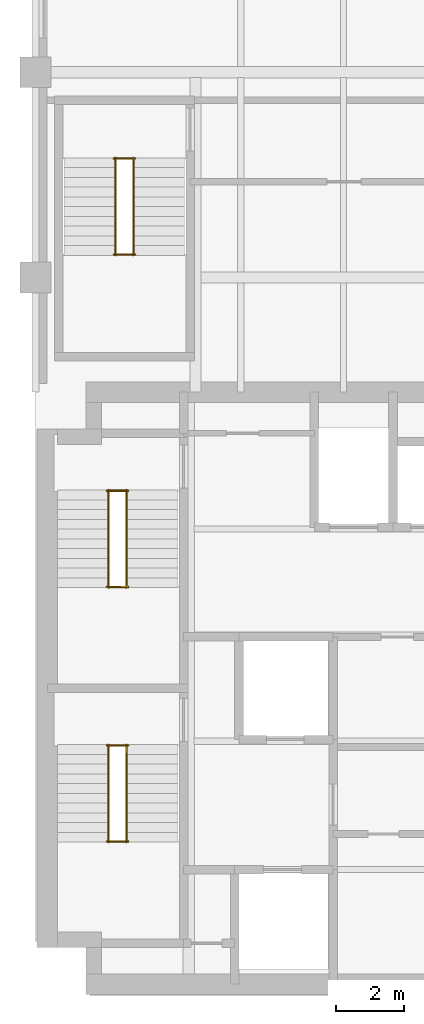
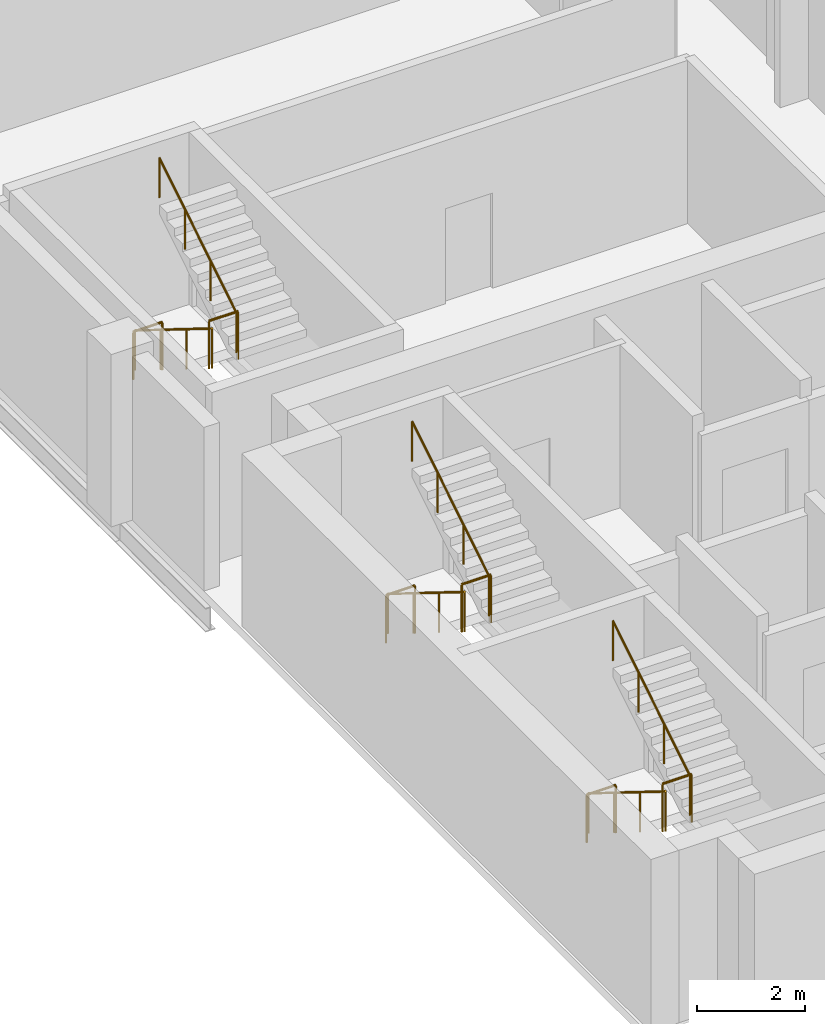
# One storey, part 7 of 7: 12 railings.
"""IFC4 building model written with IfcOpenShell, lengths in metres."""

from ifc_helpers import new_model, si_unit, direction, frame, origin, origin_2d, place, context, subcontext, project, spatial, circle, extrude, material, type_object, element, save


model = new_model("IFC4")

# Units and contexts
model_context = context("Model", 3, precision=1e-05, world=origin(), true_north=direction((0.0, 1.0)))
body_context = subcontext(model_context, "Body", "Model", "MODEL_VIEW")
ifc_project = project(units=[si_unit("LENGTHUNIT", "METRE"), si_unit("AREAUNIT", "SQUARE_METRE"), si_unit("VOLUMEUNIT", "CUBIC_METRE"), si_unit("PLANEANGLEUNIT", "RADIAN"), si_unit("MASSUNIT", "GRAM", prefix="KILO")], contexts=[model_context])

# Site, building, storey
site_placement = place(None, origin())
site = spatial("IfcSite", under=ifc_project, at=site_placement, CompositionType="ELEMENT")
building_placement = place(site_placement, origin())
building = spatial("IfcBuilding", under=site, at=building_placement, Name="Mawjdan Bourse Tower", CompositionType="ELEMENT")
storey_placement = place(building_placement, frame((0.0, 0.0, 172.199951171875)))
storey = spatial("IfcBuildingStorey", under=building, at=storey_placement, Name="L41", CompositionType="ELEMENT", Elevation=172.199951171875)

# Railings
ifc_material_1 = material(Name="Structural Steel S355", Category="steel")
railing_type_1 = type_object("IfcRailingType", Name="RLG-GRD-1100", PredefinedType="GUARDRAIL", material=ifc_material_1)
for number, where, name in (
    (1, (8.090087890625, 7.52001953125, 1.949951171875), "L41 ST1 Landing Guardrail GL-MID"),
    (2, (8.090087890625, 10.330078125, 0.0), "L41 ST1 Landing Guardrail GL-BOT"),
    (3, (8.090087890625, 14.9599609375, 1.949951171875), "L41 ST2 Landing Guardrail GL-MID"),
    (4, (8.090087890625, 17.77001953125, 0.0), "L41 ST2 Landing Guardrail GL-BOT"),
    (5, (8.2900390625, 24.669921875, 1.949951171875), "L41 ST3 Landing Guardrail GL-MID"),
    (6, (8.2900390625, 27.47998046875, 0.0), "L41 ST3 Landing Guardrail GL-BOT"),
):
    element("IfcRailing", number, at=place(storey_placement, frame(where)), inside=storey, type_object=railing_type_1, Name=name, PredefinedType="GUARDRAIL", context=body_context, shape_type="SweptSolid", body=[
        extrude(circle(Radius=0.02490234375, at=origin_2d()), frame((0.0, 0.0, 1.0751953125), z_axis=(1.0, 0.0, 0.0), x_axis=(0.0, 1.0, 0.0)), (0.0, 0.0, 1.0), 0.619873046875),
        extrude(circle(Radius=0.02099609375, at=origin_2d()), origin(), (0.0, 0.0, 1.0), 1.050048828125),
        extrude(circle(Radius=0.02099609375, at=origin_2d()), frame((0.619873046875, 0.0, 0.0)), (0.0, 0.0, 1.0), 1.050048828125),
    ])
ifc_material_2 = material(Name="Brushed Stainless Steel", Category="steel")
railing_type_2 = type_object("IfcRailingType", Name="RLG-HND-920", PredefinedType="HANDRAIL", material=ifc_material_2)
railing_1_placement = place(storey_placement, frame((8.139892578125, 10.35009765625, 0.17724609375)))
element("IfcRailing", 7, at=railing_1_placement, inside=storey, type_object=railing_type_2, Name="L41 ST1 Flight Handrail HR1", PredefinedType="HANDRAIL", context=body_context, shape_type="SweptSolid", body=[
    extrude(circle(Radius=0.0224609375, at=origin_2d()), frame((0.0, 0.0, 0.8974609375), z_axis=(0.0, -0.849148672731, 0.528153890072), x_axis=(1.0, 0.0, 0.0)), (0.0, 0.0, 1.0), 3.3564453125),
    extrude(circle(Radius=0.01904296875, at=origin_2d()), origin(), (0.0, 0.0, 1.0), 0.875),
    extrude(circle(Radius=0.01904296875, at=origin_2d()), frame((0.0, -0.949951171875, 0.5908203125)), (0.0, 0.0, 1.0), 0.875),
    extrude(circle(Radius=0.01904296875, at=origin_2d()), frame((0.0, -1.900146484375, 1.181884765625)), (0.0, 0.0, 1.0), 0.875),
    extrude(circle(Radius=0.01904296875, at=origin_2d()), frame((0.0, -2.85009765625, 1.772705078125)), (0.0, 0.0, 1.0), 0.875),
])
railing_2_placement = place(storey_placement, frame((8.659912109375, 7.5, 2.12744140625)))
element("IfcRailing", 8, at=railing_2_placement, inside=storey, type_object=railing_type_2, Name="L41 ST1 Flight Handrail HR2", PredefinedType="HANDRAIL", context=body_context, shape_type="SweptSolid", body=[
    extrude(circle(Radius=0.0224609375, at=origin_2d()), frame((0.0, 0.0, 0.8974609375), z_axis=(0.0, 0.849148672731, 0.528153890072), x_axis=(-1.0, 0.0, 0.0)), (0.0, 0.0, 1.0), 3.3564453125),
    extrude(circle(Radius=0.01904296875, at=origin_2d()), origin(), (0.0, 0.0, 1.0), 0.875),
    extrude(circle(Radius=0.01904296875, at=origin_2d()), frame((0.0, 0.949951171875, 0.5908203125)), (0.0, 0.0, 1.0), 0.875),
    extrude(circle(Radius=0.01904296875, at=origin_2d()), frame((0.0, 1.900146484375, 1.181884765625)), (0.0, 0.0, 1.0), 0.875),
    extrude(circle(Radius=0.01904296875, at=origin_2d()), frame((0.0, 2.85009765625, 1.772705078125)), (0.0, 0.0, 1.0), 0.875),
])
railing_3_placement = place(storey_placement, frame((8.139892578125, 17.7900390625, 0.17724609375)))
element("IfcRailing", 9, at=railing_3_placement, inside=storey, type_object=railing_type_2, Name="L41 ST2 Flight Handrail HR1", PredefinedType="HANDRAIL", context=body_context, shape_type="SweptSolid", body=[
    extrude(circle(Radius=0.0224609375, at=origin_2d()), frame((0.0, 0.0, 0.8974609375), z_axis=(0.0, -0.849148672731, 0.528153890072), x_axis=(1.0, 0.0, 0.0)), (0.0, 0.0, 1.0), 3.3564453125),
    extrude(circle(Radius=0.01904296875, at=origin_2d()), origin(), (0.0, 0.0, 1.0), 0.875),
    extrude(circle(Radius=0.01904296875, at=origin_2d()), frame((0.0, -0.949951171875, 0.5908203125)), (0.0, 0.0, 1.0), 0.875),
    extrude(circle(Radius=0.01904296875, at=origin_2d()), frame((0.0, -1.900146484375, 1.181884765625)), (0.0, 0.0, 1.0), 0.875),
    extrude(circle(Radius=0.01904296875, at=origin_2d()), frame((0.0, -2.85009765625, 1.772705078125)), (0.0, 0.0, 1.0), 0.875),
])
railing_4_placement = place(storey_placement, frame((8.659912109375, 14.93994140625, 2.12744140625)))
element("IfcRailing", 10, at=railing_4_placement, inside=storey, type_object=railing_type_2, Name="L41 ST2 Flight Handrail HR2", PredefinedType="HANDRAIL", context=body_context, shape_type="SweptSolid", body=[
    extrude(circle(Radius=0.0224609375, at=origin_2d()), frame((0.0, 0.0, 0.8974609375), z_axis=(0.0, 0.849148672731, 0.528153890072), x_axis=(-1.0, 0.0, 0.0)), (0.0, 0.0, 1.0), 3.3564453125),
    extrude(circle(Radius=0.01904296875, at=origin_2d()), origin(), (0.0, 0.0, 1.0), 0.875),
    extrude(circle(Radius=0.01904296875, at=origin_2d()), frame((0.0, 0.949951171875, 0.5908203125)), (0.0, 0.0, 1.0), 0.875),
    extrude(circle(Radius=0.01904296875, at=origin_2d()), frame((0.0, 1.900146484375, 1.181884765625)), (0.0, 0.0, 1.0), 0.875),
    extrude(circle(Radius=0.01904296875, at=origin_2d()), frame((0.0, 2.85009765625, 1.772705078125)), (0.0, 0.0, 1.0), 0.875),
])
railing_5_placement = place(storey_placement, frame((8.340087890625, 27.5, 0.17724609375)))
element("IfcRailing", 11, at=railing_5_placement, inside=storey, type_object=railing_type_2, Name="L41 ST3 Flight Handrail HR1", PredefinedType="HANDRAIL", context=body_context, shape_type="SweptSolid", body=[
    extrude(circle(Radius=0.0224609375, at=origin_2d()), frame((0.0, 0.0, 0.8974609375), z_axis=(0.0, -0.849148672731, 0.528153890072), x_axis=(1.0, 0.0, 0.0)), (0.0, 0.0, 1.0), 3.3564453125),
    extrude(circle(Radius=0.01904296875, at=origin_2d()), origin(), (0.0, 0.0, 1.0), 0.875),
    extrude(circle(Radius=0.01904296875, at=origin_2d()), frame((0.0, -0.949951171875, 0.5908203125)), (0.0, 0.0, 1.0), 0.875),
    extrude(circle(Radius=0.01904296875, at=origin_2d()), frame((0.0, -1.900146484375, 1.181884765625)), (0.0, 0.0, 1.0), 0.875),
    extrude(circle(Radius=0.01904296875, at=origin_2d()), frame((0.0, -2.85009765625, 1.772705078125)), (0.0, 0.0, 1.0), 0.875),
])
railing_6_placement = place(storey_placement, frame((8.860107421875, 24.64990234375, 2.12744140625)))
element("IfcRailing", 12, at=railing_6_placement, inside=storey, type_object=railing_type_2, Name="L41 ST3 Flight Handrail HR2", PredefinedType="HANDRAIL", context=body_context, shape_type="SweptSolid", body=[
    extrude(circle(Radius=0.0224609375, at=origin_2d()), frame((0.0, 0.0, 0.8974609375), z_axis=(0.0, 0.849148672731, 0.528153890072), x_axis=(-1.0, 0.0, 0.0)), (0.0, 0.0, 1.0), 3.3564453125),
    extrude(circle(Radius=0.01904296875, at=origin_2d()), origin(), (0.0, 0.0, 1.0), 0.875),
    extrude(circle(Radius=0.01904296875, at=origin_2d()), frame((0.0, 0.949951171875, 0.5908203125)), (0.0, 0.0, 1.0), 0.875),
    extrude(circle(Radius=0.01904296875, at=origin_2d()), frame((0.0, 1.900146484375, 1.181884765625)), (0.0, 0.0, 1.0), 0.875),
    extrude(circle(Radius=0.01904296875, at=origin_2d()), frame((0.0, 2.85009765625, 1.772705078125)), (0.0, 0.0, 1.0), 0.875),
])

save(model, "model.ifc")
